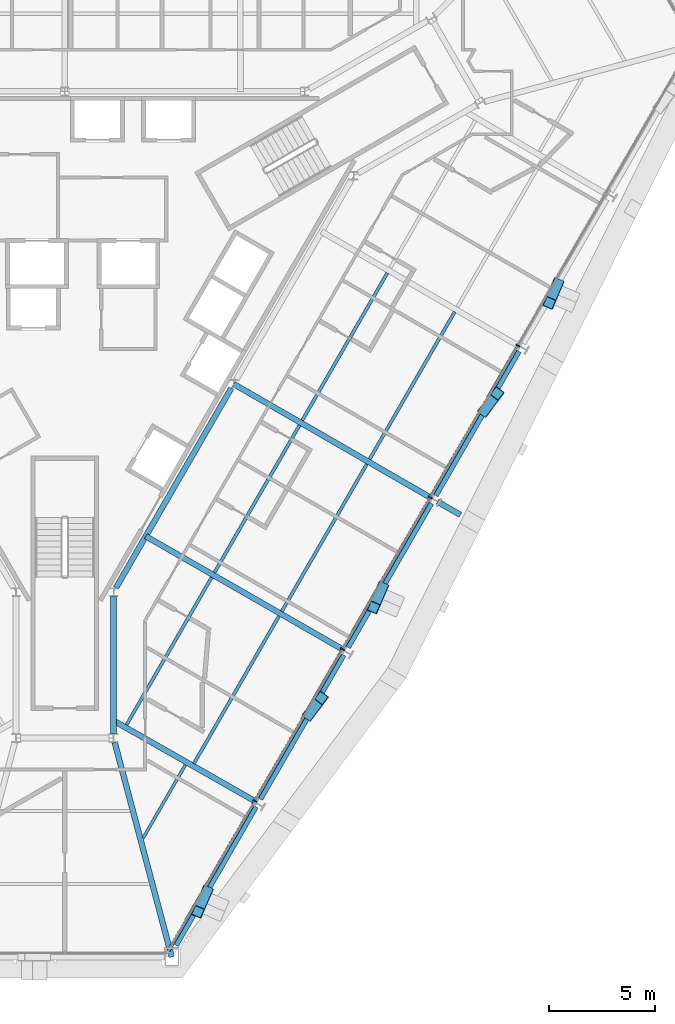
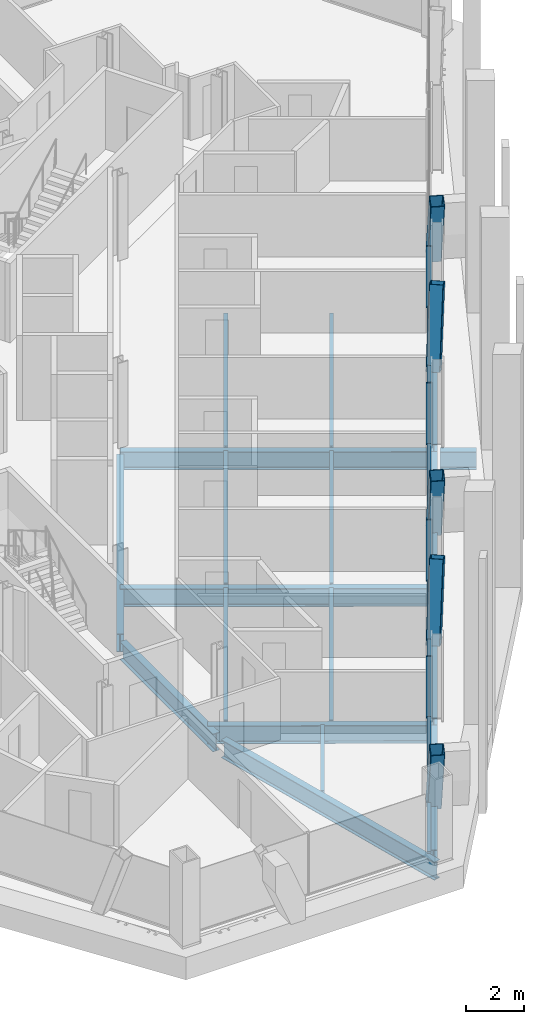
# One storey, part 5 of 17: 18 beams, 13 members, 1 element without a shape of its own.
"""IFC4 building model written with IfcOpenShell, lengths in metres."""

from ifc_helpers import new_model, si_unit, direction, frame, origin, origin_2d, place, context, subcontext, project, spatial, rectangle, hollow_rectangle, i_section, extrude, material, material_profile, profile_set, type_object, element, aggregate, save


model = new_model("IFC4")

# Units and contexts
model_context = context("Model", 3, precision=1e-05, world=origin(), true_north=direction((0.0, 1.0)))
body_context = subcontext(model_context, "Body", "Model", "MODEL_VIEW")
ifc_project = project(units=[si_unit("LENGTHUNIT", "METRE"), si_unit("AREAUNIT", "SQUARE_METRE"), si_unit("VOLUMEUNIT", "CUBIC_METRE"), si_unit("PLANEANGLEUNIT", "RADIAN"), si_unit("MASSUNIT", "GRAM", prefix="KILO")], contexts=[model_context])

# Site, building, storey
site_placement = place(None, origin())
site = spatial("IfcSite", under=ifc_project, at=site_placement, CompositionType="ELEMENT")
building_placement = place(site_placement, origin())
building = spatial("IfcBuilding", under=site, at=building_placement, Name="Verrane Prism Tower", CompositionType="ELEMENT")
storey_placement = place(building_placement, frame((0.0, 0.0, 132.39990234375)))
storey = spatial("IfcBuildingStorey", under=building, at=storey_placement, Name="L32", CompositionType="ELEMENT", Elevation=132.39990234375)

# Beams
ifc_material_1 = material(Name="Steel A992", Category="steel")
ifc_material_profile_1 = material_profile(ifc_material_1, i_section(OverallWidth=0.2666015625, OverallDepth=0.7568359375, WebThickness=0.013916015625, FlangeThickness=0.019287109375, FilletRadius=0.0166015625, at=origin_2d()), Name="W30x108")
ifc_profile_set_1 = profile_set([ifc_material_profile_1], Name="Steel A992")
beam_type_1 = type_object("IfcBeamType", Name="Core ring girder W30x108", PredefinedType="BEAM", material=ifc_profile_set_1)
beam_1_placement = place(storey_placement, frame((2.300048828125, -21.082763671875, -0.62841796875), z_axis=(0.0, 1.0, 0.0), x_axis=(-1.0, 0.0, 0.0)))
element("IfcBeam", 1, at=beam_1_placement, inside=storey, type_object=beam_type_1, Name="Core ring girder L32", PredefinedType="BEAM", context=body_context, shape_type="SweptSolid", body=[
    extrude(i_section(OverallWidth=0.2666015625, OverallDepth=0.7568359375, WebThickness=0.013916015625, FlangeThickness=0.019287109375, FilletRadius=0.0166015625, at=origin_2d()), origin(), (0.0, 0.0, 1.0), 6.46337890625),
])
beam_2_placement = place(storey_placement, frame((2.4150390625, -14.220703125, -0.62841796875), z_axis=(0.500034555306, 0.86600545235, 0.0), x_axis=(-0.86600545235, 0.500034555306, 0.0)))
element("IfcBeam", 2, at=beam_2_placement, inside=storey, type_object=beam_type_1, Name="Core ring girder L32", PredefinedType="BEAM", context=body_context, shape_type="SweptSolid", body=[
    extrude(i_section(OverallWidth=0.2666015625, OverallDepth=0.7568359375, WebThickness=0.013916015625, FlangeThickness=0.019287109375, FilletRadius=0.0166015625, at=origin_2d()), origin(), (0.0, 0.0, 1.0), 10.879150390625),
])
ifc_material_2 = material(Name="Steel A992", Category="steel")
ifc_material_profile_2 = material_profile(ifc_material_2, i_section(OverallWidth=0.2666015625, OverallDepth=0.76708984375, WebThickness=0.014892578125, FlangeThickness=0.023681640625, FilletRadius=0.0166015625, at=origin_2d()), Name="W30x124")
ifc_profile_set_2 = profile_set([ifc_material_profile_2], Name="Steel A992")
beam_type_2 = type_object("IfcBeamType", Name="Corner girder W30x124", PredefinedType="BEAM", material=ifc_profile_set_2)
beam_3_placement = place(storey_placement, frame((5.048828125, -31.6357421875, -0.603515625), z_axis=(-0.25700370652, 0.966410417387, 0.0), x_axis=(-0.966410417387, -0.25700370652, 0.0)))
element("IfcBeam", 3, at=beam_3_placement, inside=storey, type_object=beam_type_2, Name="Corner girder L32", PredefinedType="BEAM", context=body_context, shape_type="SweptSolid", body=[
    extrude(i_section(OverallWidth=0.2666015625, OverallDepth=0.76708984375, WebThickness=0.014892578125, FlangeThickness=0.023681640625, FilletRadius=0.0166015625, at=origin_2d()), origin(), (0.0, 0.0, 1.0), 10.470458984375),
])

# Members
ifc_material_3 = material(Name="Steel A1085 Grade A", Category="steel")
ifc_material_profile_3 = material_profile(ifc_material_3, hollow_rectangle(XDim=0.508056640625, YDim=0.508056640625, WallThickness=0.025390625, InnerFilletRadius=0.0126953125, OuterFilletRadius=0.0380859375, at=origin_2d()), Name="HSS20x20x1")
ifc_profile_set_3 = profile_set([ifc_material_profile_3], Name="Steel A1085 Grade A")
member_type_1 = type_object("IfcMemberType", Name="Facade brace HSS20x20x1", PredefinedType="BRACE", material=ifc_profile_set_3)
member_1_placement = place(storey_placement, frame((6.699462890625, -28.540771484375, -0.242431640625), z_axis=(-0.130483383823, -0.301215755018, 0.944586235066), x_axis=(0.917603900827, -0.397496014051, 0.0)))
element("IfcMember", 4, at=member_1_placement, inside=storey, type_object=member_type_1, Name="Facade brace SE0 L32", PredefinedType="BRACE", context=body_context, shape_type="SweptSolid", body=[
    extrude(hollow_rectangle(XDim=0.508056640625, YDim=0.508056640625, WallThickness=0.025390625, InnerFilletRadius=0.0126953125, OuterFilletRadius=0.0380859375, at=origin_2d()), origin(), (0.0, 0.0, 1.0), 3.1845703125),
])
member_2_placement = place(storey_placement, frame((11.5224609375, -20.186767578125, -0.242431640625), z_axis=(0.184935454366, 0.244726616304, 0.951791868525), x_axis=(-0.797818869883, 0.602897214173, 0.0)))
element("IfcMember", 5, at=member_2_placement, inside=storey, type_object=member_type_1, Name="Facade brace SE1 L32", PredefinedType="BRACE", context=body_context, shape_type="SweptSolid", body=[
    extrude(hollow_rectangle(XDim=0.508056640625, YDim=0.508056640625, WallThickness=0.025390625, InnerFilletRadius=0.0126953125, OuterFilletRadius=0.0380859375, at=origin_2d()), origin(), (0.0, 0.0, 1.0), 3.160400390625),
])
member_3_placement = place(storey_placement, frame((14.97265625, -14.216552734375, -0.242431640625), z_axis=(-0.125355804791, -0.292112114786, 0.948133131264), x_axis=(0.918957100467, -0.394357512292, 0.0)))
element("IfcMember", 6, at=member_3_placement, inside=storey, type_object=member_type_1, Name="Facade brace SE2 L32", PredefinedType="BRACE", context=body_context, shape_type="SweptSolid", body=[
    extrude(hollow_rectangle(XDim=0.508056640625, YDim=0.508056640625, WallThickness=0.025390625, InnerFilletRadius=0.0126953125, OuterFilletRadius=0.0380859375, at=origin_2d()), origin(), (0.0, 0.0, 1.0), 3.172607421875),
])
member_4_placement = place(storey_placement, frame((19.795654296875, -5.857666015625, -0.242431640625), z_axis=(0.189853936879, 0.254729035699, 0.948192280618), x_axis=(-0.801798621199, 0.597594319788, 0.0)))
element("IfcMember", 7, at=member_4_placement, inside=storey, type_object=member_type_1, Name="Facade brace SE3 L32", PredefinedType="BRACE", context=body_context, shape_type="SweptSolid", body=[
    extrude(hollow_rectangle(XDim=0.508056640625, YDim=0.508056640625, WallThickness=0.025390625, InnerFilletRadius=0.0126953125, OuterFilletRadius=0.0380859375, at=origin_2d()), origin(), (0.0, 0.0, 1.0), 3.17236328125),
])
member_5_placement = place(storey_placement, frame((23.24267578125, 0.115478515625, -0.242431640625), z_axis=(-0.120122253278, -0.282267982944, 0.951785390764), x_axis=(0.920144983431, -0.391577845986, 0.0)))
element("IfcMember", 8, at=member_5_placement, inside=storey, type_object=member_type_1, Name="Facade brace SE4 L32", PredefinedType="BRACE", context=body_context, shape_type="SweptSolid", body=[
    extrude(hollow_rectangle(XDim=0.508056640625, YDim=0.508056640625, WallThickness=0.025390625, InnerFilletRadius=0.0126953125, OuterFilletRadius=0.0380859375, at=origin_2d()), origin(), (0.0, 0.0, 1.0), 3.160400390625),
])

# Beams
ifc_material_4 = material(Name="Steel A992", Category="steel")
ifc_material_profile_4 = material_profile(ifc_material_4, i_section(OverallWidth=0.140380859375, OverallDepth=0.40380859375, WebThickness=0.007080078125, FlangeThickness=0.01123046875, FilletRadius=0.01025390625, at=origin_2d()), Name="W16x31")
ifc_profile_set_4 = profile_set([ifc_material_profile_4], Name="Steel A992")
beam_type_3 = type_object("IfcBeamType", Name="Floor beam W16x31", PredefinedType="BEAM", material=ifc_profile_set_4)
beam_4_placement = place(storey_placement, frame((3.69482421875, -26.025390625, -0.36181640625), z_axis=(0.500073727646, 0.865982832923, 0.0), x_axis=(-0.865982832923, 0.500073727646, 0.0)))
element("IfcBeam", 9, at=beam_4_placement, inside=storey, type_object=beam_type_3, Name="Floor beam L32", PredefinedType="BEAM", context=body_context, shape_type="SweptSolid", body=[
    extrude(i_section(OverallWidth=0.140380859375, OverallDepth=0.40380859375, WebThickness=0.007080078125, FlangeThickness=0.01123046875, FilletRadius=0.01025390625, at=origin_2d()), origin(), (0.0, 0.0, 1.0), 3.970703125),
])
ifc_material_5 = material(Name="Steel A992", Category="steel")
ifc_material_profile_5 = material_profile(ifc_material_5, i_section(OverallWidth=0.15234375, OverallDepth=0.449462890625, WebThickness=0.007568359375, FlangeThickness=0.0107421875, FilletRadius=0.01025390625, at=origin_2d()), Name="W18x35")
ifc_profile_set_5 = profile_set([ifc_material_profile_5], Name="Steel A992")
beam_type_4 = type_object("IfcBeamType", Name="Floor beam W18x35", PredefinedType="BEAM", material=ifc_profile_set_5)
beam_5_placement = place(storey_placement, frame((6.0869140625, -22.51318359375, -0.384765625), z_axis=(0.499983128917, 0.86603514409, 0.0), x_axis=(-0.86603514409, 0.499983128917, 0.0)))
element("IfcBeam", 10, at=beam_5_placement, inside=storey, type_object=beam_type_4, Name="Floor beam L32", PredefinedType="BEAM", context=body_context, shape_type="SweptSolid", body=[
    extrude(i_section(OverallWidth=0.15234375, OverallDepth=0.449462890625, WebThickness=0.007568359375, FlangeThickness=0.0107421875, FilletRadius=0.01025390625, at=origin_2d()), origin(), (0.0, 0.0, 1.0), 8.026123046875),
])
for number, where, z_axis, x_axis, name in (
    (11, (2.913330078125, -20.68017578125, -0.384765625), (0.499992771462, 0.866029577143, 0.0), (-0.866029577143, 0.499992771462, 0.0), "Floor beam L32"),
    (12, (10.235595703125, -15.33251953125, -0.384765625), (0.500005942522, 0.86602197284, 0.0), (-0.86602197284, 0.500005942522, 0.0), "Floor beam L32"),
):
    element("IfcBeam", number, at=place(storey_placement, frame(where, z_axis=z_axis, x_axis=x_axis)), inside=storey, type_object=beam_type_4, Name=name, PredefinedType="BEAM", context=body_context, shape_type="SweptSolid", body=[
        extrude(i_section(OverallWidth=0.15234375, OverallDepth=0.449462890625, WebThickness=0.007568359375, FlangeThickness=0.0107421875, FilletRadius=0.01025390625, at=origin_2d()), origin(), (0.0, 0.0, 1.0), 8.0263671875),
    ])
beam_6_placement = place(storey_placement, frame((7.061279296875, -13.498291015625, -0.384765625), z_axis=(0.499996300355, 0.866027539765, 0.0), x_axis=(-0.866027539765, 0.499996300355, 0.0)))
element("IfcBeam", 13, at=beam_6_placement, inside=storey, type_object=beam_type_4, Name="Floor beam L32", PredefinedType="BEAM", context=body_context, shape_type="SweptSolid", body=[
    extrude(i_section(OverallWidth=0.15234375, OverallDepth=0.449462890625, WebThickness=0.007568359375, FlangeThickness=0.0107421875, FilletRadius=0.01025390625, at=origin_2d()), origin(), (0.0, 0.0, 1.0), 8.02587890625),
])
for number, where, z_axis, x_axis, name in (
    (14, (14.380615234375, -8.1494140625, -0.384765625), (0.500007577232, 0.866021029023, 0.0), (-0.866021029023, 0.500007577232, 0.0), "Floor beam L32"),
    (15, (11.20458984375, -6.314453125, -0.384765625), (0.500007577232, 0.866021029023, 0.0), (-0.866021029023, 0.500007577232, 0.0), "Floor beam L32"),
):
    element("IfcBeam", number, at=place(storey_placement, frame(where, z_axis=z_axis, x_axis=x_axis)), inside=storey, type_object=beam_type_4, Name=name, PredefinedType="BEAM", context=body_context, shape_type="SweptSolid", body=[
        extrude(i_section(OverallWidth=0.15234375, OverallDepth=0.449462890625, WebThickness=0.007568359375, FlangeThickness=0.0107421875, FilletRadius=0.01025390625, at=origin_2d()), origin(), (0.0, 0.0, 1.0), 8.02978515625),
    ])

# Curtain wall, members
ifc_material_6 = material(Name="Aluminium framed insulated glazing", Category="aluminium")
curtain_wall_type = type_object("IfcCurtainWallType", Name="Curtain wall CW-A 8400 module", PredefinedType="NOTDEFINED", material=ifc_material_6)
curtain_wall_placement = place(storey_placement, origin())
curtain_wall = element("IfcCurtainWall", 16, at=curtain_wall_placement, inside=storey, type_object=curtain_wall_type, Name="Glazed curtain wall south-east face L32", PredefinedType="NOTDEFINED")
ifc_material_7 = material(Name="Aluminium alloy 6063-T6", Category="aluminium")
ifc_material_profile_6 = material_profile(ifc_material_7, rectangle(XDim=0.199951171875, YDim=0.070068359375, at=origin_2d()), Name="Mullion 70x200 aluminium")
ifc_profile_set_6 = profile_set([ifc_material_profile_6], Name="Aluminium alloy 6063-T6")
member_type_2 = type_object("IfcMemberType", Name="Mullion 70x200 aluminium", PredefinedType="MULLION", material=ifc_profile_set_6)
member_6_placement = place(storey_placement, frame((8.975830078125, -24.275390625, 0.0), z_axis=(0.0, 0.0, 1.0), x_axis=(-0.866025120648, 0.500000490406, 0.0)))
member_6 = element("IfcMember", 17, at=member_6_placement, type_object=member_type_2, Name="CW32.6 mullion 2", PredefinedType="MULLION", context=body_context, shape_type="SweptSolid", body=[
    extrude(rectangle(XDim=0.199951171875, YDim=0.070068359375, at=origin_2d()), origin(), (0.0, 0.0, 1.0), 2.613037109375),
])
member_7_placement = place(storey_placement, frame((13.109619140625, -17.115478515625, 0.0), z_axis=(0.0, 0.0, 1.0), x_axis=(-0.866025120648, 0.500000490406, 0.0)))
member_7 = element("IfcMember", 18, at=member_7_placement, type_object=member_type_2, Name="CW32.6 mullion 3", PredefinedType="MULLION", context=body_context, shape_type="SweptSolid", body=[
    extrude(rectangle(XDim=0.199951171875, YDim=0.070068359375, at=origin_2d()), origin(), (0.0, 0.0, 1.0), 2.613037109375),
])
member_8_placement = place(storey_placement, frame((17.243408203125, -9.95556640625, 0.0), z_axis=(0.0, 0.0, 1.0), x_axis=(-0.866025120648, 0.500000490406, 0.0)))
member_8 = element("IfcMember", 19, at=member_8_placement, type_object=member_type_2, Name="CW32.6 mullion 4", PredefinedType="MULLION", context=body_context, shape_type="SweptSolid", body=[
    extrude(rectangle(XDim=0.199951171875, YDim=0.070068359375, at=origin_2d()), origin(), (0.0, 0.0, 1.0), 2.613037109375),
])
member_9_placement = place(storey_placement, frame((21.377197265625, -2.79541015625, 0.0), z_axis=(0.0, 0.0, 1.0), x_axis=(-0.866025120648, 0.500000490406, 0.0)))
member_9 = element("IfcMember", 20, at=member_9_placement, type_object=member_type_2, Name="CW32.6 mullion 5", PredefinedType="MULLION", context=body_context, shape_type="SweptSolid", body=[
    extrude(rectangle(XDim=0.199951171875, YDim=0.070068359375, at=origin_2d()), origin(), (0.0, 0.0, 1.0), 2.613037109375),
])

# Beams
ifc_material_8 = material(Name="Steel A992", Category="steel")
ifc_material_profile_7 = material_profile(ifc_material_8, i_section(OverallWidth=0.2666015625, OverallDepth=0.76708984375, WebThickness=0.014892578125, FlangeThickness=0.023681640625, FilletRadius=0.0166015625, at=origin_2d()), Name="W30x124")
ifc_profile_set_7 = profile_set([ifc_material_profile_7], Name="Steel A992")
beam_type_5 = type_object("IfcBeamType", Name="Radial girder W30x124", PredefinedType="BEAM", material=ifc_profile_set_7)
beam_7_placement = place(storey_placement, frame((8.912841796875, -24.24755859375, -0.603515625), z_axis=(-0.868998303733, 0.494815064553, 0.0), x_axis=(-0.494815064553, -0.868998303733, 0.0)))
element("IfcBeam", 21, at=beam_7_placement, inside=storey, type_object=beam_type_5, Name="Radial girder L32", PredefinedType="BEAM", context=body_context, shape_type="SweptSolid", body=[
    extrude(i_section(OverallWidth=0.2666015625, OverallDepth=0.76708984375, WebThickness=0.014892578125, FlangeThickness=0.023681640625, FilletRadius=0.0166015625, at=origin_2d()), origin(), (0.0, 0.0, 1.0), 7.609619140625),
])
beam_8_placement = place(storey_placement, frame((13.051513671875, -17.087158203125, -0.603515625), z_axis=(-0.867093316993, 0.498145741351, 0.0), x_axis=(-0.498145741351, -0.867093316993, 0.0)))
element("IfcBeam", 22, at=beam_8_placement, inside=storey, type_object=beam_type_5, Name="Radial girder L32", PredefinedType="BEAM", context=body_context, shape_type="SweptSolid", body=[
    extrude(i_section(OverallWidth=0.2666015625, OverallDepth=0.76708984375, WebThickness=0.014892578125, FlangeThickness=0.023681640625, FilletRadius=0.0166015625, at=origin_2d()), origin(), (0.0, 0.0, 1.0), 10.64453125),
])
beam_9_placement = place(storey_placement, frame((17.189697265625, -9.92529296875, -0.603515625), z_axis=(-0.866080204148, 0.499905070972, 0.0), x_axis=(-0.499905070972, -0.866080204148, 0.0)))
element("IfcBeam", 23, at=beam_9_placement, inside=storey, type_object=beam_type_5, Name="Radial girder L32", PredefinedType="BEAM", context=body_context, shape_type="SweptSolid", body=[
    extrude(i_section(OverallWidth=0.2666015625, OverallDepth=0.76708984375, WebThickness=0.014892578125, FlangeThickness=0.023681640625, FilletRadius=0.0166015625, at=origin_2d()), origin(), (0.0, 0.0, 1.0), 10.64697265625),
])
beam_10_placement = place(storey_placement, frame((17.57958984375, -10.151611328125, -0.603515625), z_axis=(0.865977699363, -0.50008261738, 0.0), x_axis=(0.50008261738, 0.865977699363, 0.0)))
element("IfcBeam", 24, at=beam_10_placement, inside=storey, type_object=beam_type_5, Name="Cantilever girder L32", PredefinedType="BEAM", context=body_context, shape_type="SweptSolid", body=[
    extrude(i_section(OverallWidth=0.2666015625, OverallDepth=0.76708984375, WebThickness=0.014892578125, FlangeThickness=0.023681640625, FilletRadius=0.0166015625, at=origin_2d()), origin(), (0.0, 0.0, 1.0), 1.251708984375),
])
ifc_material_9 = material(Name="Steel A992", Category="steel")
ifc_material_profile_8 = material_profile(ifc_material_9, i_section(OverallWidth=0.2666015625, OverallDepth=0.7568359375, WebThickness=0.013916015625, FlangeThickness=0.019287109375, FilletRadius=0.0166015625, at=origin_2d()), Name="W30x108")
ifc_profile_set_8 = profile_set([ifc_material_profile_8], Name="Steel A992")
beam_type_6 = type_object("IfcBeamType", Name="Spandrel beam W30x108", PredefinedType="SPANDREL", material=ifc_profile_set_8)
beam_11_placement = place(storey_placement, frame((5.239990234375, -31.0712890625, -0.538330078125), z_axis=(0.499567294813, 0.866275082149, 0.0), x_axis=(-0.866275082149, 0.499567294813, 0.0)))
element("IfcBeam", 25, at=beam_11_placement, inside=storey, type_object=beam_type_6, Name="Spandrel beam L32", PredefinedType="SPANDREL", context=body_context, shape_type="SweptSolid", body=[
    extrude(i_section(OverallWidth=0.2666015625, OverallDepth=0.7568359375, WebThickness=0.013916015625, FlangeThickness=0.019287109375, FilletRadius=0.0166015625, at=origin_2d()), origin(), (0.0, 0.0, 1.0), 7.537841796875),
])
beam_12_placement = place(storey_placement, frame((9.215087890625, -24.1787109375, -0.538330078125), z_axis=(0.500409712732, 0.865788726771, 0.0), x_axis=(-0.865788726771, 0.500409712732, 0.0)))
element("IfcBeam", 26, at=beam_12_placement, inside=storey, type_object=beam_type_6, Name="Spandrel beam L32", PredefinedType="SPANDREL", context=body_context, shape_type="SweptSolid", body=[
    extrude(i_section(OverallWidth=0.2666015625, OverallDepth=0.7568359375, WebThickness=0.013916015625, FlangeThickness=0.019287109375, FilletRadius=0.0166015625, at=origin_2d()), origin(), (0.0, 0.0, 1.0), 7.8505859375),
])
beam_13_placement = place(storey_placement, frame((13.353271484375, -17.018798828125, -0.538330078125), z_axis=(0.500328882623, 0.865835440031, 0.0), x_axis=(-0.865835440031, 0.500328882623, 0.0)))
element("IfcBeam", 27, at=beam_13_placement, inside=storey, type_object=beam_type_6, Name="Spandrel beam L32", PredefinedType="SPANDREL", context=body_context, shape_type="SweptSolid", body=[
    extrude(i_section(OverallWidth=0.2666015625, OverallDepth=0.7568359375, WebThickness=0.013916015625, FlangeThickness=0.019287109375, FilletRadius=0.0166015625, at=origin_2d()), origin(), (0.0, 0.0, 1.0), 7.851806640625),
])
beam_14_placement = place(storey_placement, frame((17.4912109375, -9.857421875, -0.538330078125), z_axis=(0.499219118747, 0.866475776625, 0.0), x_axis=(-0.866475776625, 0.499219118747, 0.0)))
element("IfcBeam", 28, at=beam_14_placement, inside=storey, type_object=beam_type_6, Name="Spandrel beam L32", PredefinedType="SPANDREL", context=body_context, shape_type="SweptSolid", body=[
    extrude(i_section(OverallWidth=0.2666015625, OverallDepth=0.7568359375, WebThickness=0.013916015625, FlangeThickness=0.019287109375, FilletRadius=0.0166015625, at=origin_2d()), origin(), (0.0, 0.0, 1.0), 7.853515625),
])

# Member
ifc_material_10 = material(Name="Aluminium alloy 6063-T6", Category="aluminium")
ifc_material_profile_9 = material_profile(ifc_material_10, rectangle(XDim=0.14990234375, YDim=0.070068359375, at=origin_2d()), Name="Transom 70x150 aluminium")
ifc_profile_set_9 = profile_set([ifc_material_profile_9], Name="Aluminium alloy 6063-T6")
member_type_3 = type_object("IfcMemberType", Name="Transom 70x150 aluminium", PredefinedType="USERDEFINED", material=ifc_profile_set_9)
member_10_placement = place(storey_placement, frame((4.876953125, -31.375, 0.03515625), z_axis=(0.499996028522, 0.866027696706, 0.0), x_axis=(-0.866027696706, 0.499996028522, 0.0)))
member_10 = element("IfcMember", 29, at=member_10_placement, type_object=member_type_3, Name="CW32.6 transom 1", ObjectType="TRANSOM", PredefinedType="USERDEFINED", context=body_context, shape_type="SweptSolid", body=[
    extrude(rectangle(XDim=0.14990234375, YDim=0.070068359375, at=origin_2d()), origin(), (0.0, 0.0, 1.0), 8.16259765625),
])

member_11_placement = place(storey_placement, frame((8.9931640625, -24.2451171875, 0.03515625), z_axis=(0.500005171338, 0.866022418091, 0.0), x_axis=(-0.866022418091, 0.500005171338, 0.0)))
member_11 = element("IfcMember", 30, at=member_11_placement, type_object=member_type_3, Name="CW32.6 transom 2", ObjectType="TRANSOM", PredefinedType="USERDEFINED", context=body_context, shape_type="SweptSolid", body=[
    extrude(rectangle(XDim=0.14990234375, YDim=0.070068359375, at=origin_2d()), origin(), (0.0, 0.0, 1.0), 8.19775390625),
])

member_12_placement = place(storey_placement, frame((13.126953125, -17.085205078125, 0.03515625), z_axis=(0.500005171338, 0.866022418091, 0.0), x_axis=(-0.866022418091, 0.500005171338, 0.0)))
member_12 = element("IfcMember", 31, at=member_12_placement, type_object=member_type_3, Name="CW32.6 transom 3", ObjectType="TRANSOM", PredefinedType="USERDEFINED", context=body_context, shape_type="SweptSolid", body=[
    extrude(rectangle(XDim=0.14990234375, YDim=0.070068359375, at=origin_2d()), origin(), (0.0, 0.0, 1.0), 8.19775390625),
])

member_13_placement = place(storey_placement, frame((17.260986328125, -9.92529296875, 0.03515625), z_axis=(0.499982834708, 0.866035313943, 0.0), x_axis=(-0.866035313943, 0.499982834708, 0.0)))
member_13 = element("IfcMember", 32, at=member_13_placement, type_object=member_type_3, Name="CW32.6 transom 4", ObjectType="TRANSOM", PredefinedType="USERDEFINED", context=body_context, shape_type="SweptSolid", body=[
    extrude(rectangle(XDim=0.14990234375, YDim=0.070068359375, at=origin_2d()), origin(), (0.0, 0.0, 1.0), 8.197509765625),
])

aggregate(curtain_wall, [member_6, member_7, member_8, member_9, member_10, member_11, member_12, member_13])

save(model, "model.ifc")
